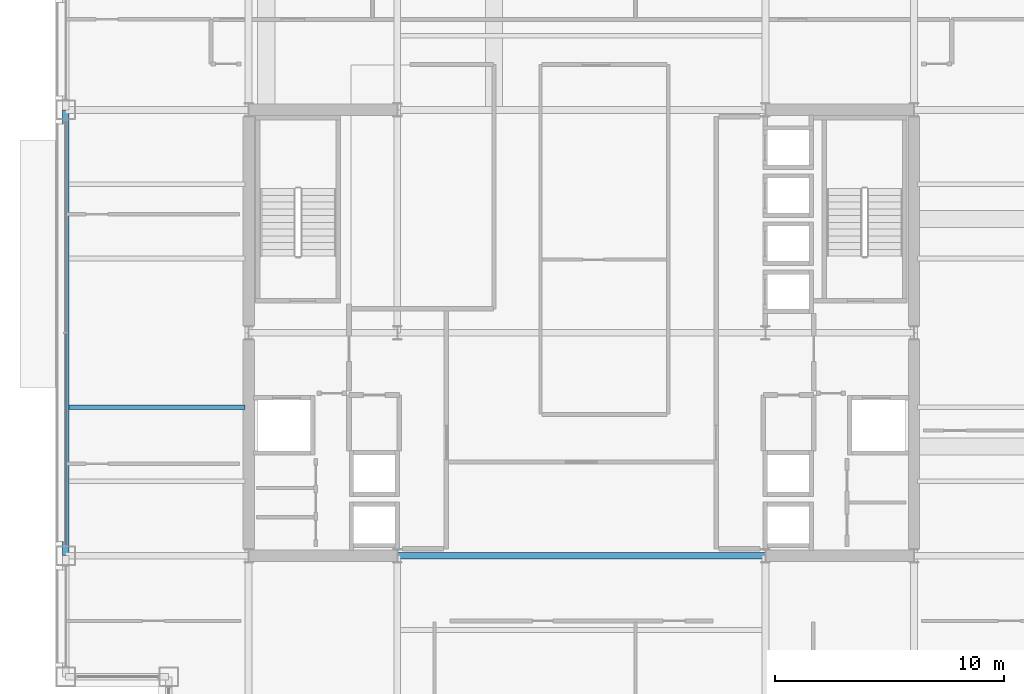
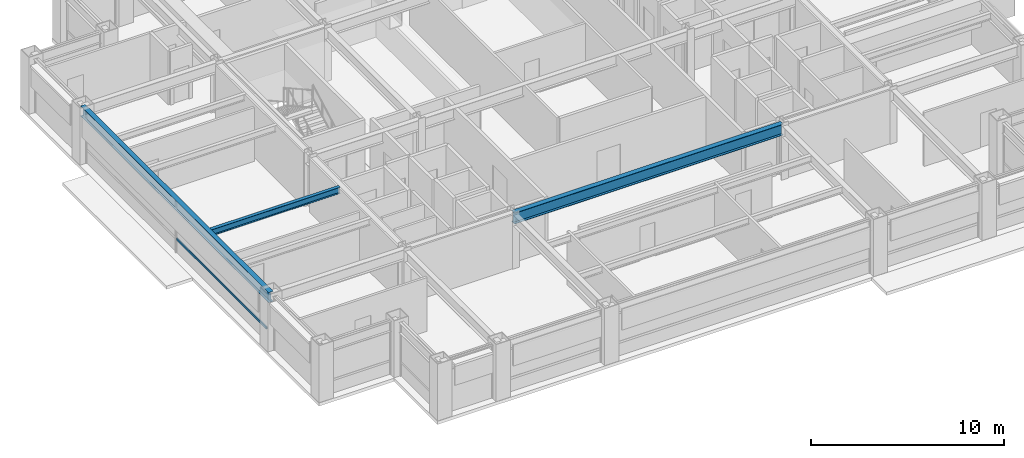
# One storey, part 9 of 34: 3 beams, 1 member, 1 element without a shape of its own.
"""IFC4 building model written with IfcOpenShell, lengths in metres."""

from ifc_helpers import new_model, si_unit, direction, frame, origin, origin_2d, place, context, subcontext, project, spatial, hollow_rectangle, i_section, extrude, material, layer, layer_set, material_profile, profile_set, type_object, element, aggregate, save


model = new_model("IFC4")

# Units and contexts
model_context = context("Model", 3, precision=1e-05, world=origin(), true_north=direction((0.0, 1.0)))
body_context = subcontext(model_context, "Body", "Model", "MODEL_VIEW")
ifc_project = project(units=[si_unit("LENGTHUNIT", "METRE"), si_unit("AREAUNIT", "SQUARE_METRE"), si_unit("VOLUMEUNIT", "CUBIC_METRE"), si_unit("PLANEANGLEUNIT", "RADIAN"), si_unit("MASSUNIT", "GRAM", prefix="KILO")], contexts=[model_context])

# Site, building, storey
site_placement = place(None, origin())
site = spatial("IfcSite", under=ifc_project, at=site_placement, CompositionType="ELEMENT")
building_placement = place(site_placement, origin())
building = spatial("IfcBuilding", under=site, at=building_placement, Name="Brelmoor Portico Tower", CompositionType="ELEMENT")
storey_placement = place(building_placement, frame((0.0, 0.0, 117.0)))
storey = spatial("IfcBuildingStorey", under=building, at=storey_placement, Name="L30", CompositionType="ELEMENT", Elevation=117.0)

# Beams
ifc_material_1 = material(Name="Steel Q355B", Category="steel")
ifc_material_profile_1 = material_profile(ifc_material_1, i_section(OverallWidth=0.199951171875, OverallDepth=0.39990234375, WebThickness=0.008056640625, FlangeThickness=0.012939453125, at=origin_2d()), Name="HN 400x200x8x13")
ifc_profile_set_1 = profile_set([ifc_material_profile_1], Name="Steel Q355B")
beam_type_1 = type_object("IfcBeamType", Name="BM-JS-400", PredefinedType="JOIST", material=ifc_profile_set_1)
beam_1_placement = place(storey_placement, frame((-22.409912109375, -3.25, 3.199951171875), z_axis=(1.0, 0.0, 0.0), x_axis=(0.0, 1.0, 0.0)))
element("IfcBeam", 1, at=beam_1_placement, inside=storey, type_object=beam_type_1, Name="L30 Secondary Wing Joist JS-W06", PredefinedType="JOIST", context=body_context, shape_type="SweptSolid", body=[
    extrude(i_section(OverallWidth=0.199951171875, OverallDepth=0.39990234375, WebThickness=0.008056640625, FlangeThickness=0.012939453125, at=origin_2d()), origin(), (0.0, 0.0, 1.0), 7.7099609375),
])
ifc_material_profile_2 = material_profile(ifc_material_1, i_section(OverallWidth=0.300048828125, OverallDepth=0.699951171875, WebThickness=0.012939453125, FlangeThickness=0.02392578125, at=origin_2d()), Name="HN 700x300x13x24")
ifc_profile_set_2 = profile_set([ifc_material_profile_2], Name="Steel Q355B")
beam_type_2 = type_object("IfcBeamType", Name="BM-PG-700", PredefinedType="BEAM", material=ifc_profile_set_2)
beam_2_placement = place(storey_placement, frame((-8.050048828125, -9.75, 3.050048828125), z_axis=(1.0, 0.0, 0.0), x_axis=(0.0, 1.0, 0.0)))
element("IfcBeam", 2, at=beam_2_placement, inside=storey, type_object=beam_type_2, Name="L30 Primary Floor Girder PG-16", PredefinedType="BEAM", context=body_context, shape_type="SweptSolid", body=[
    extrude(i_section(OverallWidth=0.300048828125, OverallDepth=0.699951171875, WebThickness=0.012939453125, FlangeThickness=0.02392578125, at=origin_2d()), origin(), (0.0, 0.0, 1.0), 16.10009765625),
])
ifc_material_profile_3 = material_profile(ifc_material_1, i_section(OverallWidth=0.280029296875, OverallDepth=0.64990234375, WebThickness=0.012939453125, FlangeThickness=0.02197265625, at=origin_2d()), Name="HN 650x280x13x22")
ifc_profile_set_3 = profile_set([ifc_material_profile_3], Name="Steel Q355B")
beam_type_3 = type_object("IfcBeamType", Name="BM-SP-650", PredefinedType="SPANDREL", material=ifc_profile_set_3)
beam_3_placement = place(storey_placement, frame((-22.550048828125, -9.75, 3.074951171875), z_axis=(0.0, 1.0, 0.0), x_axis=(-1.0, 0.0, 0.0)))
element("IfcBeam", 3, at=beam_3_placement, inside=storey, type_object=beam_type_3, Name="L30 Perimeter Spandrel Beam SP-16", PredefinedType="SPANDREL", context=body_context, shape_type="SweptSolid", body=[
    extrude(i_section(OverallWidth=0.280029296875, OverallDepth=0.64990234375, WebThickness=0.012939453125, FlangeThickness=0.02197265625, at=origin_2d()), origin(), (0.0, 0.0, 1.0), 19.5),
])

# Curtain wall, member
ifc_material_2 = material(Name="Anodised Aluminium Alloy 6063-T6", Category="aluminium")
ifc_layer = layer(ifc_material_2, 0.179931640625)
ifc_layer_set = layer_set([ifc_layer], Name="Anodised Aluminium Alloy 6063-T6")
curtain_wall_type = type_object("IfcCurtainWallType", Name="CW-TOWER-Z2", PredefinedType="NOTDEFINED", material=ifc_layer_set)
curtain_wall_placement = place(storey_placement, origin())
curtain_wall = element("IfcCurtainWall", 4, at=curtain_wall_placement, inside=storey, type_object=curtain_wall_type, Name="L30 Curtain Wall CW-L30-03-2", PredefinedType="NOTDEFINED")
ifc_material_profile_4 = material_profile(ifc_material_2, hollow_rectangle(XDim=0.06494140625, YDim=0.139892578125, WallThickness=0.00390625, at=origin_2d()), Name="ALU TRANSOM 65x140")
ifc_profile_set_4 = profile_set([ifc_material_profile_4], Name="Anodised Aluminium Alloy 6063-T6")
member_type = type_object("IfcMemberType", Name="MB-CW-TRAN-140", PredefinedType="USERDEFINED", material=ifc_profile_set_4)
member_placement = place(storey_placement, frame((-22.550048828125, -9.31494140625, 0.85009765625), z_axis=(0.0, 1.0, 0.0), x_axis=(-1.0, 0.0, 0.0)))
member = element("IfcMember", 5, at=member_placement, type_object=member_type, Name="CW-L30-03-2 Transom 1-00", ObjectType="TRANSOM", PredefinedType="USERDEFINED", context=body_context, shape_type="SweptSolid", body=[
    extrude(hollow_rectangle(XDim=0.06494140625, YDim=0.139892578125, WallThickness=0.00390625, at=origin_2d()), origin(), (0.0, 0.0, 1.0), 9.31494140625),
])
aggregate(curtain_wall, [member])

save(model, "model.ifc")
